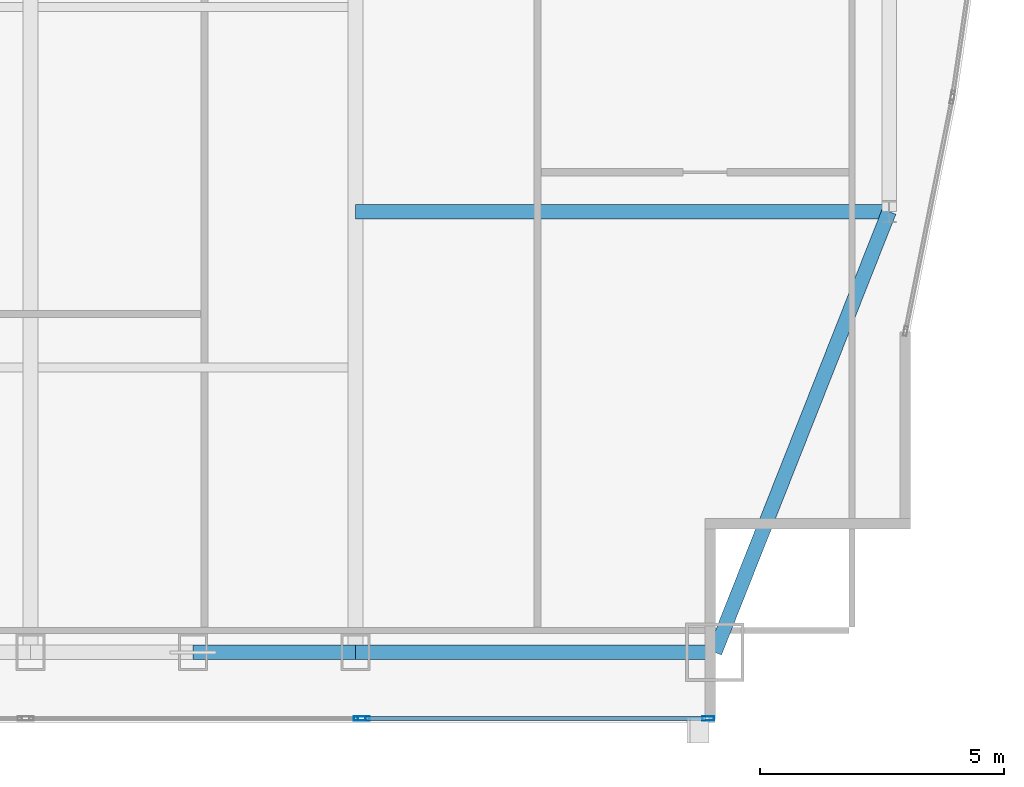
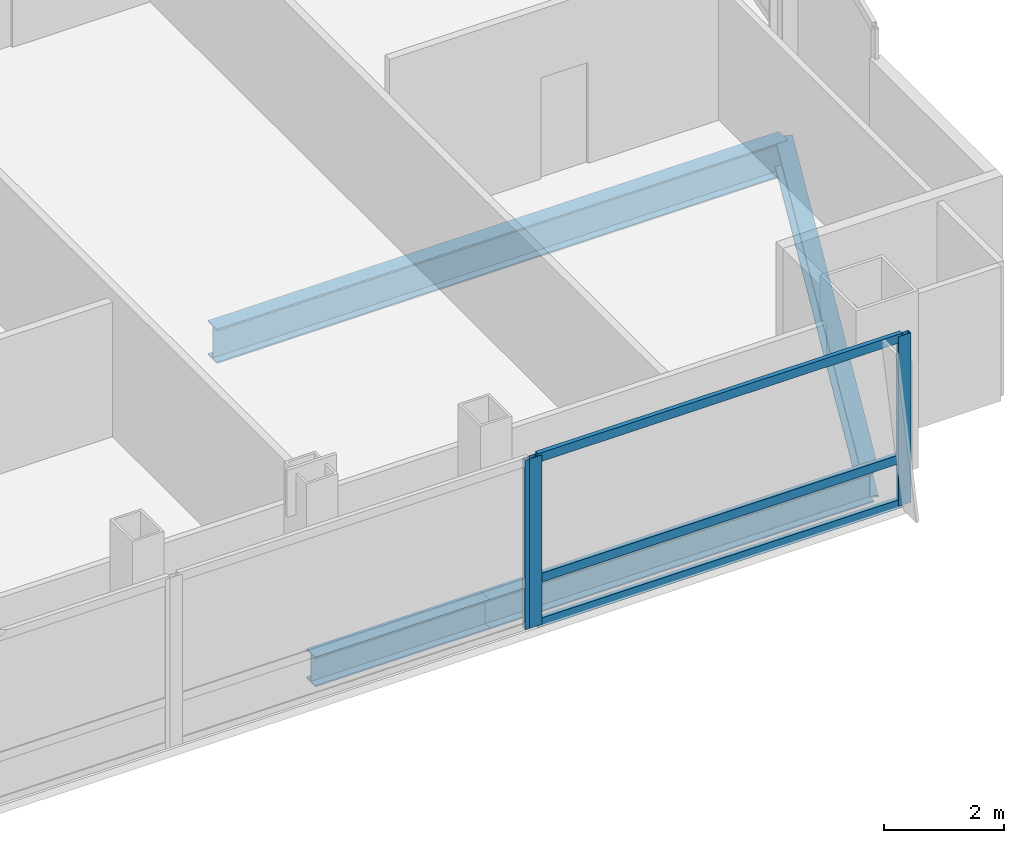
# One storey, part 14 of 30: 6 members, 4 beams, 2 elements without a shape of their own.
"""IFC4 building model written with IfcOpenShell, lengths in metres."""

from ifc_helpers import new_model, si_unit, direction, frame, origin, origin_2d, place, context, subcontext, project, spatial, hollow_rectangle, i_section, extrude, material, material_profile, profile_set, type_object, element, aggregate, save


model = new_model("IFC4")

# Units and contexts
model_context = context("Model", 3, precision=1e-05, world=origin(), true_north=direction((0.0, 1.0)))
body_context = subcontext(model_context, "Body", "Model", "MODEL_VIEW")
ifc_project = project(units=[si_unit("LENGTHUNIT", "METRE"), si_unit("AREAUNIT", "SQUARE_METRE"), si_unit("VOLUMEUNIT", "CUBIC_METRE"), si_unit("PLANEANGLEUNIT", "RADIAN"), si_unit("MASSUNIT", "GRAM", prefix="KILO")], contexts=[model_context])

# Site, building, storey
site_placement = place(None, origin())
site = spatial("IfcSite", under=ifc_project, at=site_placement, CompositionType="ELEMENT")
building_placement = place(site_placement, origin())
building = spatial("IfcBuilding", under=site, at=building_placement, Name="Khoronbel Lancet Exchange", CompositionType="ELEMENT")
storey_placement = place(building_placement, frame((0.0, 0.0, 206.60009765625)))
storey = spatial("IfcBuildingStorey", under=building, at=storey_placement, Name="L52", CompositionType="ELEMENT", Elevation=206.60009765625)

# Beams
ifc_material_1 = material(Name="Steel S355", Category="steel")
ifc_material_profile_1 = material_profile(ifc_material_1, i_section(OverallWidth=0.300048828125, OverallDepth=0.699951171875, WebThickness=0.01708984375, FlangeThickness=0.031982421875, at=origin_2d()), Name="HEB 700")
ifc_profile_set_1 = profile_set([ifc_material_profile_1], Name="Steel S355")
beam_type_1 = type_object("IfcBeamType", Name="BM-BG3", PredefinedType="BEAM", material=ifc_profile_set_1)
beam_1_placement = place(storey_placement, frame((54.675048828125, 19.199951171875, -0.510009765625), z_axis=(1.0, 0.0, 0.0), x_axis=(0.0, 1.0, 0.0)))
element("IfcBeam", 1, at=beam_1_placement, inside=storey, type_object=beam_type_1, Name="Level L52 east lens tie girder LG1E", PredefinedType="BEAM", context=body_context, shape_type="SweptSolid", body=[
    extrude(i_section(OverallWidth=0.300048828125, OverallDepth=0.699951171875, WebThickness=0.01708984375, FlangeThickness=0.031982421875, at=origin_2d()), origin(), (0.0, 0.0, 1.0), 10.954833984375),
])
ifc_material_profile_2 = material_profile(ifc_material_1, i_section(OverallWidth=0.300048828125, OverallDepth=0.60009765625, WebThickness=0.015380859375, FlangeThickness=0.030029296875, at=origin_2d()), Name="HEB 600")
ifc_profile_set_2 = profile_set([ifc_material_profile_2], Name="Steel S355")
beam_type_2 = type_object("IfcBeamType", Name="BM-BSP2", PredefinedType="SPANDREL", material=ifc_profile_set_2)
beam_2_placement = place(storey_placement, frame((51.33740234375, 10.14990234375, -0.460205078125), z_axis=(1.0, 0.0, 0.0), x_axis=(0.0, 1.0, 0.0)))
element("IfcBeam", 2, at=beam_2_placement, inside=storey, type_object=beam_type_2, Name="Level L52 perimeter spandrel beam SP08", PredefinedType="SPANDREL", context=body_context, shape_type="SweptSolid", body=[
    extrude(i_section(OverallWidth=0.300048828125, OverallDepth=0.60009765625, WebThickness=0.015380859375, FlangeThickness=0.030029296875, at=origin_2d()), origin(), (0.0, 0.0, 1.0), 3.337646484375),
])
beam_3_placement = place(storey_placement, frame((54.675048828125, 10.14990234375, -0.460205078125), z_axis=(1.0, 0.0, 0.0), x_axis=(0.0, 1.0, 0.0)))
element("IfcBeam", 3, at=beam_3_placement, inside=storey, type_object=beam_type_2, Name="Level L52 perimeter spandrel beam SP09", PredefinedType="SPANDREL", context=body_context, shape_type="SweptSolid", body=[
    extrude(i_section(OverallWidth=0.300048828125, OverallDepth=0.60009765625, WebThickness=0.015380859375, FlangeThickness=0.030029296875, at=origin_2d()), origin(), (0.0, 0.0, 1.0), 7.375),
])
beam_4_placement = place(storey_placement, frame((62.050048828125, 10.14990234375, -0.460205078125), z_axis=(0.367828403855, 0.929893684954, 0.0), x_axis=(-0.929893684954, 0.367828403855, 0.0)))
element("IfcBeam", 4, at=beam_4_placement, inside=storey, type_object=beam_type_2, Name="Level L52 perimeter spandrel beam SP10", PredefinedType="SPANDREL", context=body_context, shape_type="SweptSolid", body=[
    extrude(i_section(OverallWidth=0.300048828125, OverallDepth=0.60009765625, WebThickness=0.015380859375, FlangeThickness=0.030029296875, at=origin_2d()), origin(), (0.0, 0.0, 1.0), 9.732421875),
])

# Curtain wall, member
ifc_material_2 = material(Name="Low-E Solar Control Insulating Glass", Category="glass")
curtain_wall_type = type_object("IfcCurtainWallType", Name="CW-3", PredefinedType="NOTDEFINED", material=ifc_material_2)
curtain_wall_1_placement = place(storey_placement, origin())
curtain_wall_1 = element("IfcCurtainWall", 5, at=curtain_wall_1_placement, inside=storey, type_object=curtain_wall_type, Name="Unitised curtain wall CW-L52-SEB", PredefinedType="NOTDEFINED")
ifc_material_3 = material(Name="Bronze-Anodised Aluminium 6063-T6", Category="aluminium")
ifc_material_profile_3 = material_profile(ifc_material_3, hollow_rectangle(XDim=0.0849609375, YDim=0.239990234375, WallThickness=0.006103515625, at=origin_2d()), Name="ALU MULLION 85x240")
ifc_profile_set_3 = profile_set([ifc_material_profile_3], Name="Bronze-Anodised Aluminium 6063-T6")
member_type_1 = type_object("IfcMemberType", Name="MEM-CWM1", PredefinedType="MULLION", material=ifc_profile_set_3)
member_1_placement = place(storey_placement, frame((54.757568359375, 8.7900390625, 0.0), z_axis=(0.0, 0.0, 1.0), x_axis=(0.0, 1.0, 0.0)))
member_1 = element("IfcMember", 6, at=member_1_placement, type_object=member_type_1, Name="CW3 mullion 2", PredefinedType="MULLION", context=body_context, shape_type="SweptSolid", body=[
    extrude(hollow_rectangle(XDim=0.0849609375, YDim=0.239990234375, WallThickness=0.006103515625, at=origin_2d()), origin(), (0.0, 0.0, 1.0), 3.43994140625),
])
aggregate(curtain_wall_1, [member_1])

# Curtain wall, members
curtain_wall_2_placement = place(storey_placement, origin())
curtain_wall_2 = element("IfcCurtainWall", 7, at=curtain_wall_2_placement, inside=storey, type_object=curtain_wall_type, Name="Unitised curtain wall CW-L52-SEV", PredefinedType="NOTDEFINED")
member_2_placement = place(storey_placement, frame((54.842529296875, 8.7900390625, 0.0), z_axis=(0.0, 0.0, 1.0), x_axis=(0.0, 1.0, 0.0)))
member_2 = element("IfcMember", 8, at=member_2_placement, type_object=member_type_1, Name="CW3 mullion 1", PredefinedType="MULLION", context=body_context, shape_type="SweptSolid", body=[
    extrude(hollow_rectangle(XDim=0.0849609375, YDim=0.239990234375, WallThickness=0.006103515625, at=origin_2d()), origin(), (0.0, 0.0, 1.0), 3.43994140625),
])
member_3_placement = place(storey_placement, frame((61.91748046875, 8.7900390625, 0.0), z_axis=(0.0, 0.0, 1.0), x_axis=(0.0, 1.0, 0.0)))
member_3 = element("IfcMember", 9, at=member_3_placement, type_object=member_type_1, Name="CW3 mullion 2", PredefinedType="MULLION", context=body_context, shape_type="SweptSolid", body=[
    extrude(hollow_rectangle(XDim=0.0849609375, YDim=0.239990234375, WallThickness=0.006103515625, at=origin_2d()), origin(), (0.0, 0.0, 1.0), 3.43994140625),
])
ifc_material_profile_4 = material_profile(ifc_material_3, hollow_rectangle(XDim=0.0849609375, YDim=0.179931640625, WallThickness=0.0048828125, at=origin_2d()), Name="ALU TRANSOM 85x180")
ifc_profile_set_4 = profile_set([ifc_material_profile_4], Name="Bronze-Anodised Aluminium 6063-T6")
member_type_2 = type_object("IfcMemberType", Name="MEM-CWT1", PredefinedType="USERDEFINED", material=ifc_profile_set_4)
member_4_placement = place(storey_placement, frame((54.885009765625, 8.7900390625, 0.04248046875), z_axis=(1.0, 0.0, 0.0), x_axis=(0.0, 1.0, 0.0)))
member_4 = element("IfcMember", 10, at=member_4_placement, type_object=member_type_2, Name="CW3 transom 1.1", ObjectType="TRANSOM", PredefinedType="USERDEFINED", context=body_context, shape_type="SweptSolid", body=[
    extrude(hollow_rectangle(XDim=0.0849609375, YDim=0.179931640625, WallThickness=0.0048828125, at=origin_2d()), origin(), (0.0, 0.0, 1.0), 6.989990234375),
])
member_5_placement = place(storey_placement, frame((54.885009765625, 8.7900390625, 0.949951171875), z_axis=(1.0, 0.0, 0.0), x_axis=(0.0, 1.0, 0.0)))
member_5 = element("IfcMember", 11, at=member_5_placement, type_object=member_type_2, Name="CW3 transom 1.2", ObjectType="TRANSOM", PredefinedType="USERDEFINED", context=body_context, shape_type="SweptSolid", body=[
    extrude(hollow_rectangle(XDim=0.0849609375, YDim=0.179931640625, WallThickness=0.0048828125, at=origin_2d()), origin(), (0.0, 0.0, 1.0), 6.989990234375),
])
member_6_placement = place(storey_placement, frame((54.885009765625, 8.7900390625, 3.3974609375), z_axis=(1.0, 0.0, 0.0), x_axis=(0.0, 1.0, 0.0)))
member_6 = element("IfcMember", 12, at=member_6_placement, type_object=member_type_2, Name="CW3 transom 1.3", ObjectType="TRANSOM", PredefinedType="USERDEFINED", context=body_context, shape_type="SweptSolid", body=[
    extrude(hollow_rectangle(XDim=0.0849609375, YDim=0.179931640625, WallThickness=0.0048828125, at=origin_2d()), origin(), (0.0, 0.0, 1.0), 6.989990234375),
])
aggregate(curtain_wall_2, [member_2, member_3, member_4, member_5, member_6])

save(model, "model.ifc")
